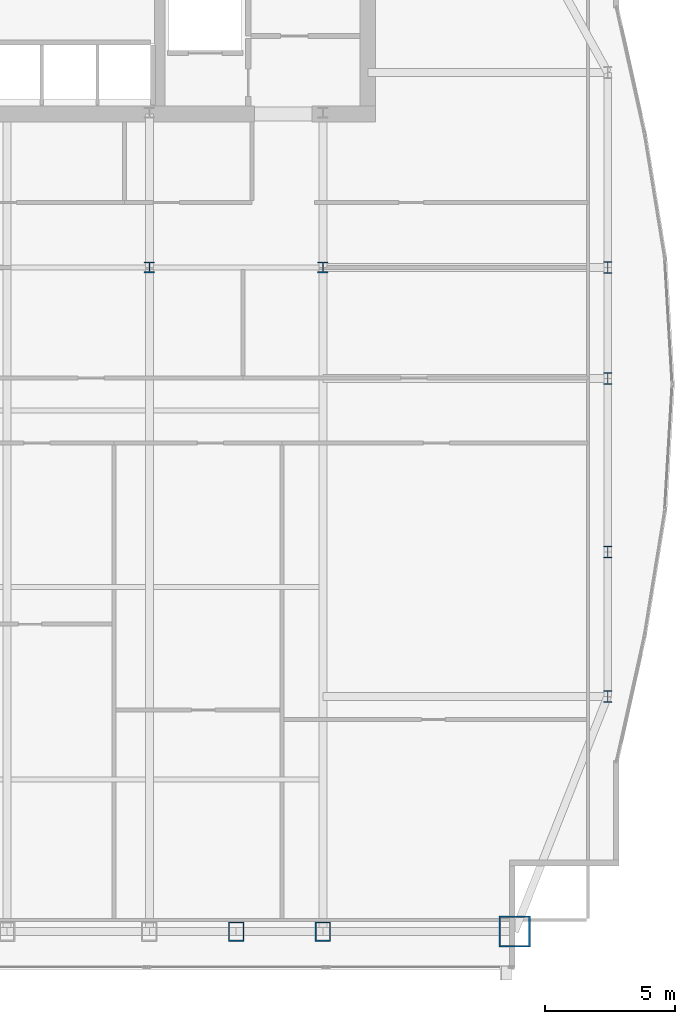
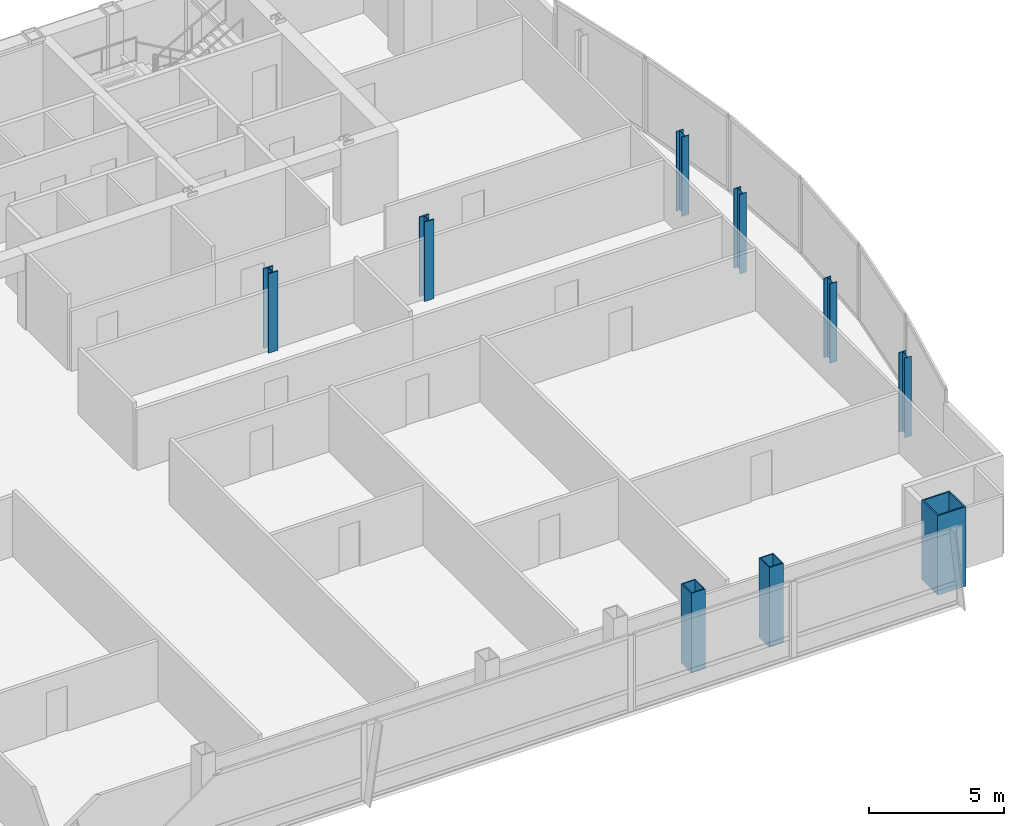
# One storey, part 2 of 30: 9 columns.
"""IFC4 building model written with IfcOpenShell, lengths in metres."""

from ifc_helpers import new_model, si_unit, direction, frame, origin, origin_2d, place, context, subcontext, project, spatial, hollow_rectangle, i_section, extrude, material, material_profile, profile_set, type_object, element, save


model = new_model("IFC4")

# Units and contexts
model_context = context("Model", 3, precision=1e-05, world=origin(), true_north=direction((0.0, 1.0)))
body_context = subcontext(model_context, "Body", "Model", "MODEL_VIEW")
ifc_project = project(units=[si_unit("LENGTHUNIT", "METRE"), si_unit("AREAUNIT", "SQUARE_METRE"), si_unit("VOLUMEUNIT", "CUBIC_METRE"), si_unit("PLANEANGLEUNIT", "RADIAN"), si_unit("MASSUNIT", "GRAM", prefix="KILO")], contexts=[model_context])

# Site, building, storey
site_placement = place(None, origin())
site = spatial("IfcSite", under=ifc_project, at=site_placement, CompositionType="ELEMENT")
building_placement = place(site_placement, origin())
building = spatial("IfcBuilding", under=site, at=building_placement, Name="Khoronbel Lancet Exchange", CompositionType="ELEMENT")
storey_placement = place(building_placement, frame((0.0, 0.0, 213.800048828125)))
storey = spatial("IfcBuildingStorey", under=building, at=storey_placement, Name="L54", CompositionType="ELEMENT", Elevation=213.800048828125)

# Columns
ifc_material_1 = material(Name="Steel S460", Category="steel")
ifc_material_profile_1 = material_profile(ifc_material_1, hollow_rectangle(XDim=0.60009765625, YDim=0.75, WallThickness=0.044921875, at=origin_2d()), Name="BOX 750x600x45")
ifc_profile_set_1 = profile_set([ifc_material_profile_1], Name="Steel S460")
column_type_1 = type_object("IfcColumnType", Name="COL-EC3", PredefinedType="COLUMN", material=ifc_profile_set_1)
for number, where, z_axis, x_axis, name in (
    (1, (51.33740234375, 10.14990234375, 0.0), (0.0, 0.0, 1.0), (1.0, 0.0, 0.0), "Structural column SC-EM L54"),
    (2, (54.675048828125, 10.14990234375, 0.0), (0.0, 0.0, 1.0), (1.0, 0.0, 0.0), "Structural column SC-E2 L54"),
):
    element("IfcColumn", number, at=place(storey_placement, frame(where, z_axis=z_axis, x_axis=x_axis)), inside=storey, type_object=column_type_1, Name=name, PredefinedType="COLUMN", context=body_context, shape_type="SweptSolid", body=[
        extrude(hollow_rectangle(XDim=0.60009765625, YDim=0.75, WallThickness=0.044921875, at=origin_2d()), origin(), (0.0, 0.0, 1.0), 3.599853515625),
    ])
ifc_material_2 = material(Name="Steel S355", Category="steel")
ifc_material_profile_2 = material_profile(ifc_material_2, i_section(OverallWidth=0.406005859375, OverallDepth=0.416015625, WebThickness=0.02978515625, FlangeThickness=0.048095703125, at=origin_2d()), Name="HD 400x382")
ifc_profile_set_2 = profile_set([ifc_material_profile_2], Name="Steel S355")
column_type_2 = type_object("IfcColumnType", Name="COL-IC3", PredefinedType="COLUMN", material=ifc_profile_set_2)
for number, where, z_axis, x_axis, name in (
    (3, (48.0, 35.699951171875, 0.0), (0.0, 0.0, 1.0), (1.0, 0.0, 0.0), "Spine gravity column TC3 L54"),
    (4, (54.675048828125, 35.699951171875, 0.0), (0.0, 0.0, 1.0), (1.0, 0.0, 0.0), "Spine gravity column TC4 L54"),
):
    element("IfcColumn", number, at=place(storey_placement, frame(where, z_axis=z_axis, x_axis=x_axis)), inside=storey, type_object=column_type_2, Name=name, PredefinedType="COLUMN", context=body_context, shape_type="SweptSolid", body=[
        extrude(i_section(OverallWidth=0.406005859375, OverallDepth=0.416015625, WebThickness=0.02978515625, FlangeThickness=0.048095703125, at=origin_2d()), origin(), (0.0, 0.0, 1.0), 3.599853515625),
    ])
ifc_material_profile_3 = material_profile(ifc_material_2, i_section(OverallWidth=0.300048828125, OverallDepth=0.449951171875, WebThickness=0.013916015625, FlangeThickness=0.02587890625, at=origin_2d()), Name="HEB 450")
ifc_profile_set_3 = profile_set([ifc_material_profile_3], Name="Steel S355")
column_type_3 = type_object("IfcColumnType", Name="COL-LC2", PredefinedType="COLUMN", material=ifc_profile_set_3)
for number, where, z_axis, x_axis, name in (
    (5, (65.6298828125, 19.199951171875, 0.0), (0.0, 0.0, 1.0), (1.0, 0.0, 0.0), "Structural column EC-1 L54"),
    (6, (65.6298828125, 24.75, 0.0), (0.0, 0.0, 1.0), (1.0, 0.0, 0.0), "Structural column EC-2 L54"),
    (7, (65.6298828125, 31.425048828125, 0.0), (0.0, 0.0, 1.0), (1.0, 0.0, 0.0), "Structural column EC-M L54"),
    (8, (65.6298828125, 35.699951171875, 0.0), (0.0, 0.0, 1.0), (1.0, 0.0, 0.0), "Structural column EC-3 L54"),
):
    element("IfcColumn", number, at=place(storey_placement, frame(where, z_axis=z_axis, x_axis=x_axis)), inside=storey, type_object=column_type_3, Name=name, PredefinedType="COLUMN", context=body_context, shape_type="SweptSolid", body=[
        extrude(i_section(OverallWidth=0.300048828125, OverallDepth=0.449951171875, WebThickness=0.013916015625, FlangeThickness=0.02587890625, at=origin_2d()), origin(), (0.0, 0.0, 1.0), 3.599853515625),
    ])
ifc_material_profile_4 = material_profile(ifc_material_1, hollow_rectangle(XDim=1.199951171875, YDim=1.199951171875, WallThickness=0.06005859375, at=origin_2d()), Name="BOX 1200x1200x60")
ifc_profile_set_4 = profile_set([ifc_material_profile_4], Name="Steel S460")
column_type_4 = type_object("IfcColumnType", Name="COL-MC5", PredefinedType="COLUMN", material=ifc_profile_set_4)
column_placement = place(storey_placement, frame((62.050048828125, 10.14990234375, 0.0), z_axis=(0.0, 0.0, 1.0), x_axis=(1.0, 0.0, 0.0)))
element("IfcColumn", 9, at=column_placement, inside=storey, type_object=column_type_4, Name="Structural column MC-SE L54", PredefinedType="COLUMN", context=body_context, shape_type="SweptSolid", body=[
    extrude(hollow_rectangle(XDim=1.199951171875, YDim=1.199951171875, WallThickness=0.06005859375, at=origin_2d()), origin(), (0.0, 0.0, 1.0), 3.599853515625),
])

save(model, "model.ifc")
